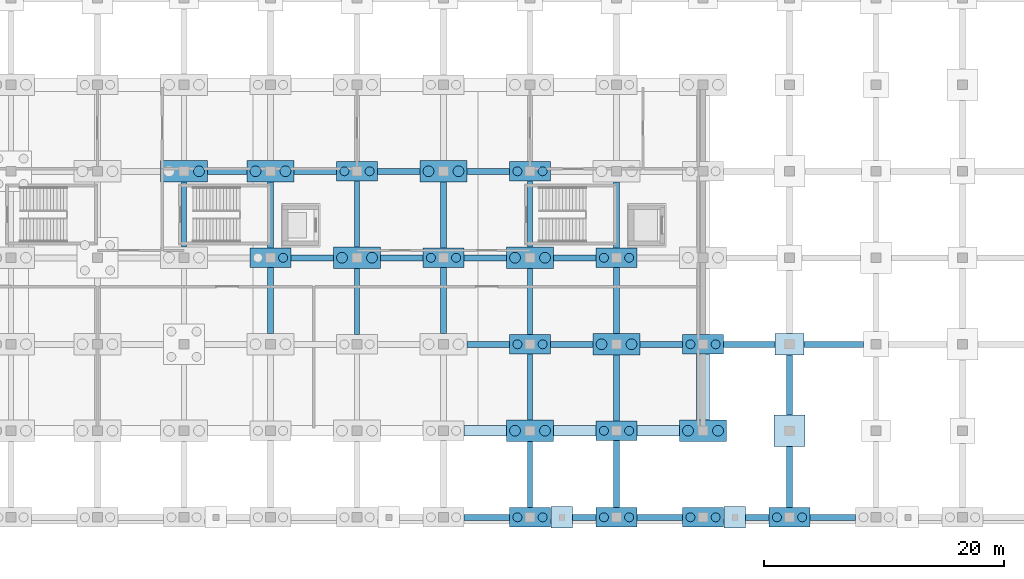
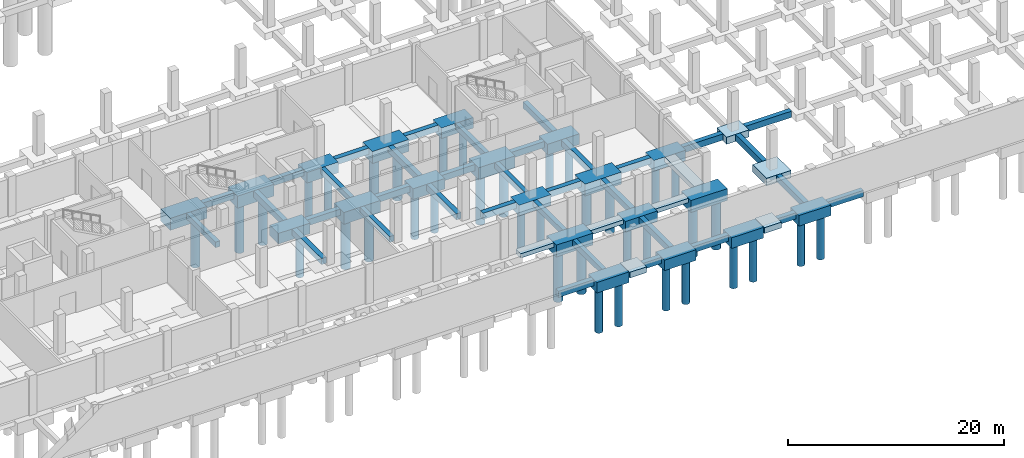
# One storey, part 5 of 22: 63 footings, 38 piles.
"""IFC4 building model written with IfcOpenShell, lengths in metres."""

from ifc_helpers import new_model, si_unit, direction, frame, origin, origin_2d, place, context, subcontext, project, spatial, polyline, rectangle, circle, outline, extrude, material, material_profile, profile_set, type_object, element, save


model = new_model("IFC4")

# Units and contexts
model_context = context("Model", 3, precision=1e-05, world=origin(), true_north=direction((0.0, 1.0)))
body_context = subcontext(model_context, "Body", "Model", "MODEL_VIEW")
ifc_project = project(units=[si_unit("LENGTHUNIT", "METRE"), si_unit("AREAUNIT", "SQUARE_METRE"), si_unit("VOLUMEUNIT", "CUBIC_METRE"), si_unit("PLANEANGLEUNIT", "RADIAN"), si_unit("MASSUNIT", "GRAM", prefix="KILO")], contexts=[model_context])

# Site, building, storey
site_placement = place(None, origin())
site = spatial("IfcSite", under=ifc_project, at=site_placement, CompositionType="ELEMENT")
building_placement = place(site_placement, origin())
building = spatial("IfcBuilding", under=site, at=building_placement, Name="Sardonyx Promenade Sports Hall", CompositionType="ELEMENT")
storey_placement = place(building_placement, frame((0.0, 0.0, -4.5)))
storey = spatial("IfcBuildingStorey", under=building, at=storey_placement, Name="B1", CompositionType="ELEMENT", Elevation=-4.5)

# Footings
ifc_material_1 = material(Name="Concrete C40/50", Category="concrete")
footing_type_1 = type_object("IfcFootingType", Name="Cap_2P_750", PredefinedType="PILE_CAP", material=ifc_material_1)
for number, where, z_axis, x_axis, name in (
    (1, (79.199951171875, 21.60009765625, -1.2001953125), (0.0, 0.0, 1.0), (1.0, 0.0, 0.0), "Pile cap PC02 at (79.20, 21.60)"),
    (2, (86.39990234375, 28.800048828125, -1.2001953125), (0.0, 0.0, 1.0), (1.0, 0.0, 0.0), "Pile cap PC02 at (86.40, 28.80)"),
    (3, (93.60009765625, 21.60009765625, -1.2001953125), (0.0, 0.0, 1.0), (1.0, 0.0, 0.0), "Pile cap PC02 at (93.60, 21.60)"),
    (4, (100.800048828125, 0.0, -1.2001953125), (0.0, 0.0, 1.0), (1.0, 0.0, 0.0), "Pile cap PC02 at (100.80, 0.00)"),
    (5, (100.800048828125, 14.39990234375, -1.2001953125), (0.0, 0.0, 1.0), (1.0, 0.0, 0.0), "Pile cap PC02 at (100.80, 14.40)"),
    (6, (100.800048828125, 28.800048828125, -1.2001953125), (0.0, 0.0, 1.0), (1.0, 0.0, 0.0), "Pile cap PC02 at (100.80, 28.80)"),
    (7, (108.0, 0.0, -1.2001953125), (0.0, 0.0, 1.0), (1.0, 0.0, 0.0), "Pile cap PC02 at (108.00, 0.00)"),
    (8, (108.0, 7.199951171875, -1.2001953125), (0.0, 0.0, 1.0), (1.0, 0.0, 0.0), "Pile cap PC02 at (108.00, 7.20)"),
    (9, (108.0, 21.60009765625, -1.2001953125), (0.0, 0.0, 1.0), (1.0, 0.0, 0.0), "Pile cap PC02 at (108.00, 21.60)"),
    (10, (115.199951171875, 0.0, -1.2001953125), (0.0, 0.0, 1.0), (1.0, 0.0, 0.0), "Pile cap PC02 at (115.20, 0.00)"),
    (11, (115.199951171875, 14.39990234375, -1.2001953125), (0.0, 0.0, 1.0), (1.0, 0.0, 0.0), "Pile cap PC02 at (115.20, 14.40)"),
    (12, (122.39990234375, 0.0, -1.2001953125), (0.0, 0.0, 1.0), (1.0, 0.0, 0.0), "Pile cap PC02 at (122.40, 0.00)"),
):
    element("IfcFooting", number, at=place(storey_placement, frame(where, z_axis=z_axis, x_axis=x_axis)), inside=storey, type_object=footing_type_1, Name=name, PredefinedType="PILE_CAP", context=body_context, shape_type="SweptSolid", body=[
        extrude(rectangle(XDim=3.39990234375, YDim=1.60009765625, at=origin_2d()), origin(), (0.0, 0.0, 1.0), 1.199951171875),
    ])
ifc_material_2 = material(Name="Concrete C40/50", Category="concrete")
footing_type_2 = type_object("IfcFootingType", Name="Cap_2P_900", PredefinedType="PILE_CAP", material=ifc_material_2)
for number, where, z_axis, x_axis, name in (
    (13, (72.0, 28.800048828125, -1.35009765625), (0.0, 0.0, 1.0), (1.0, 0.0, 0.0), "Pile cap PC09 at (72.00, 28.80)"),
    (14, (79.199951171875, 28.800048828125, -1.35009765625), (0.0, 0.0, 1.0), (1.0, 0.0, 0.0), "Pile cap PC09 at (79.20, 28.80)"),
    (15, (86.39990234375, 21.60009765625, -1.35009765625), (0.0, 0.0, 1.0), (1.0, 0.0, 0.0), "Pile cap PC09 at (86.40, 21.60)"),
    (16, (93.60009765625, 28.800048828125, -1.35009765625), (0.0, 0.0, 1.0), (1.0, 0.0, 0.0), "Pile cap PC09 at (93.60, 28.80)"),
    (17, (100.800048828125, 7.199951171875, -1.35009765625), (0.0, 0.0, 1.0), (1.0, 0.0, 0.0), "Pile cap PC09 at (100.80, 7.20)"),
    (18, (100.800048828125, 21.60009765625, -1.35009765625), (0.0, 0.0, 1.0), (1.0, 0.0, 0.0), "Pile cap PC09 at (100.80, 21.60)"),
    (19, (108.0, 14.39990234375, -1.35009765625), (0.0, 0.0, 1.0), (1.0, 0.0, 0.0), "Pile cap PC09 at (108.00, 14.40)"),
    (20, (115.199951171875, 7.199951171875, -1.35009765625), (0.0, 0.0, 1.0), (1.0, 0.0, 0.0), "Pile cap PC09 at (115.20, 7.20)"),
):
    element("IfcFooting", number, at=place(storey_placement, frame(where, z_axis=z_axis, x_axis=x_axis)), inside=storey, type_object=footing_type_2, Name=name, PredefinedType="PILE_CAP", context=body_context, shape_type="SweptSolid", body=[
        extrude(rectangle(XDim=3.89990234375, YDim=1.800048828125, at=origin_2d()), origin(), (0.0, 0.0, 1.0), 1.35009765625),
    ])
ifc_material_3 = material(Name="Concrete C40/50", Category="concrete")
footing_type_3 = type_object("IfcFootingType", Name="Ftg_Beam_450x650", PredefinedType="FOOTING_BEAM", material=ifc_material_3)
footing_1_placement = place(storey_placement, frame((0.0, 0.0, -0.64990234375)))
element("IfcFooting", 21, at=footing_1_placement, inside=storey, type_object=footing_type_3, Name="Ground tie beam GB03 #317", PredefinedType="FOOTING_BEAM", context=body_context, shape_type="SweptSolid", body=[
    extrude(outline(polyline([(71.77490234375, 22.5), (72.22509765625, 22.5), (72.22509765625, 27.89990234375), (71.77490234375, 27.89990234375), (71.77490234375, 22.5)])), origin(), (0.0, 0.0, 1.0), 0.64990234375),
])
footing_2_placement = place(storey_placement, frame((0.0, 0.0, -0.64990234375)))
element("IfcFooting", 22, at=footing_2_placement, inside=storey, type_object=footing_type_3, Name="Ground tie beam GB03 #334", PredefinedType="FOOTING_BEAM", context=body_context, shape_type="SweptSolid", body=[
    extrude(outline(polyline([(86.175048828125, 15.199951171875), (86.625, 15.199951171875), (86.625, 20.699951171875), (86.175048828125, 20.699951171875), (86.175048828125, 15.199951171875)])), origin(), (0.0, 0.0, 1.0), 0.64990234375),
])
footing_3_placement = place(storey_placement, frame((0.0, 0.0, -0.64990234375)))
element("IfcFooting", 23, at=footing_3_placement, inside=storey, type_object=footing_type_3, Name="Ground tie beam GB03 #335", PredefinedType="FOOTING_BEAM", context=body_context, shape_type="SweptSolid", body=[
    extrude(outline(polyline([(86.175048828125, 22.5), (86.625, 22.5), (86.625, 28.0), (86.175048828125, 28.0), (86.175048828125, 22.5)])), origin(), (0.0, 0.0, 1.0), 0.64990234375),
])
footing_4_placement = place(storey_placement, frame((0.0, 0.0, -0.64990234375)))
element("IfcFooting", 24, at=footing_4_placement, inside=storey, type_object=footing_type_3, Name="Ground tie beam GB03 #351", PredefinedType="FOOTING_BEAM", context=body_context, shape_type="SweptSolid", body=[
    extrude(outline(polyline([(100.574951171875, 0.800048828125), (101.02490234375, 0.800048828125), (101.02490234375, 6.300048828125), (100.574951171875, 6.300048828125), (100.574951171875, 0.800048828125)])), origin(), (0.0, 0.0, 1.0), 0.64990234375),
])
footing_5_placement = place(storey_placement, frame((0.0, 0.0, -0.64990234375)))
element("IfcFooting", 25, at=footing_5_placement, inside=storey, type_object=footing_type_3, Name="Ground tie beam GB03 #352", PredefinedType="FOOTING_BEAM", context=body_context, shape_type="SweptSolid", body=[
    extrude(outline(polyline([(100.574951171875, 8.10009765625), (101.02490234375, 8.10009765625), (101.02490234375, 13.60009765625), (100.574951171875, 13.60009765625), (100.574951171875, 8.10009765625)])), origin(), (0.0, 0.0, 1.0), 0.64990234375),
])
footing_6_placement = place(storey_placement, frame((0.0, 0.0, -0.64990234375)))
element("IfcFooting", 26, at=footing_6_placement, inside=storey, type_object=footing_type_3, Name="Ground tie beam GB03 #353", PredefinedType="FOOTING_BEAM", context=body_context, shape_type="SweptSolid", body=[
    extrude(outline(polyline([(100.574951171875, 15.199951171875), (101.02490234375, 15.199951171875), (101.02490234375, 20.699951171875), (100.574951171875, 20.699951171875), (100.574951171875, 15.199951171875)])), origin(), (0.0, 0.0, 1.0), 0.64990234375),
])
footing_7_placement = place(storey_placement, frame((0.0, 0.0, -0.64990234375)))
element("IfcFooting", 27, at=footing_7_placement, inside=storey, type_object=footing_type_3, Name="Ground tie beam GB03 #354", PredefinedType="FOOTING_BEAM", context=body_context, shape_type="SweptSolid", body=[
    extrude(outline(polyline([(100.574951171875, 22.5), (101.02490234375, 22.5), (101.02490234375, 28.0), (100.574951171875, 28.0), (100.574951171875, 22.5)])), origin(), (0.0, 0.0, 1.0), 0.64990234375),
])
ifc_material_4 = material(Name="Concrete C40/50", Category="concrete")
footing_type_4 = type_object("IfcFootingType", Name="Ftg_Beam_500x700", PredefinedType="FOOTING_BEAM", material=ifc_material_4)
footing_8_placement = place(storey_placement, frame((0.0, 0.0, -0.699951171875)))
element("IfcFooting", 28, at=footing_8_placement, inside=storey, type_object=footing_type_4, Name="Ground tie beam GB01 #14", PredefinedType="FOOTING_BEAM", context=body_context, shape_type="SweptSolid", body=[
    extrude(outline(polyline([(95.300048828125, -0.25), (99.10009765625, -0.25), (99.10009765625, 0.25), (95.300048828125, 0.25), (95.300048828125, -0.25)])), origin(), (0.0, 0.0, 1.0), 0.699951171875),
])
footing_9_placement = place(storey_placement, frame((0.0, 0.0, -0.699951171875)))
element("IfcFooting", 29, at=footing_9_placement, inside=storey, type_object=footing_type_4, Name="Ground tie beam GB01 #15", PredefinedType="FOOTING_BEAM", context=body_context, shape_type="SweptSolid", body=[
    extrude(outline(polyline([(104.35009765625, -0.25), (106.300048828125, -0.25), (106.300048828125, 0.25), (104.35009765625, 0.25), (104.35009765625, -0.25)])), origin(), (0.0, 0.0, 1.0), 0.699951171875),
])
footing_10_placement = place(storey_placement, frame((0.0, 0.0, -0.699951171875)))
element("IfcFooting", 30, at=footing_10_placement, inside=storey, type_object=footing_type_4, Name="Ground tie beam GB01 #16", PredefinedType="FOOTING_BEAM", context=body_context, shape_type="SweptSolid", body=[
    extrude(outline(polyline([(109.699951171875, -0.25), (113.5, -0.25), (113.5, 0.25), (109.699951171875, 0.25), (109.699951171875, -0.25)])), origin(), (0.0, 0.0, 1.0), 0.699951171875),
])
footing_11_placement = place(storey_placement, frame((0.0, 0.0, -0.699951171875)))
element("IfcFooting", 31, at=footing_11_placement, inside=storey, type_object=footing_type_4, Name="Ground tie beam GB01 #17", PredefinedType="FOOTING_BEAM", context=body_context, shape_type="SweptSolid", body=[
    extrude(outline(polyline([(118.75, -0.25), (120.699951171875, -0.25), (120.699951171875, 0.25), (118.75, 0.25), (118.75, -0.25)])), origin(), (0.0, 0.0, 1.0), 0.699951171875),
])
footing_12_placement = place(storey_placement, frame((0.0, 0.0, -0.699951171875)))
element("IfcFooting", 32, at=footing_12_placement, inside=storey, type_object=footing_type_4, Name="Ground tie beam GB01 #18", PredefinedType="FOOTING_BEAM", context=body_context, shape_type="SweptSolid", body=[
    extrude(outline(polyline([(124.10009765625, -0.25), (127.89990234375, -0.25), (127.89990234375, 0.25), (124.10009765625, 0.25), (124.10009765625, -0.25)])), origin(), (0.0, 0.0, 1.0), 0.699951171875),
])
footing_13_placement = place(storey_placement, frame((0.0, 0.0, -0.699951171875)))
element("IfcFooting", 33, at=footing_13_placement, inside=storey, type_object=footing_type_4, Name="Ground tie beam GB01 #37", PredefinedType="FOOTING_BEAM", context=body_context, shape_type="SweptSolid", body=[
    extrude(outline(polyline([(95.550048828125, 14.14990234375), (99.10009765625, 14.14990234375), (99.10009765625, 14.64990234375), (95.550048828125, 14.64990234375), (95.550048828125, 14.14990234375)])), origin(), (0.0, 0.0, 1.0), 0.699951171875),
])
footing_14_placement = place(storey_placement, frame((0.0, 0.0, -0.699951171875)))
element("IfcFooting", 34, at=footing_14_placement, inside=storey, type_object=footing_type_4, Name="Ground tie beam GB01 #38", PredefinedType="FOOTING_BEAM", context=body_context, shape_type="SweptSolid", body=[
    extrude(outline(polyline([(102.5, 14.14990234375), (106.050048828125, 14.14990234375), (106.050048828125, 14.64990234375), (102.5, 14.64990234375), (102.5, 14.14990234375)])), origin(), (0.0, 0.0, 1.0), 0.699951171875),
])
footing_15_placement = place(storey_placement, frame((0.0, 0.0, -0.699951171875)))
element("IfcFooting", 35, at=footing_15_placement, inside=storey, type_object=footing_type_4, Name="Ground tie beam GB01 #39", PredefinedType="FOOTING_BEAM", context=body_context, shape_type="SweptSolid", body=[
    extrude(outline(polyline([(109.949951171875, 14.14990234375), (113.5, 14.14990234375), (113.5, 14.64990234375), (109.949951171875, 14.64990234375), (109.949951171875, 14.14990234375)])), origin(), (0.0, 0.0, 1.0), 0.699951171875),
])
footing_16_placement = place(storey_placement, frame((0.0, 0.0, -0.699951171875)))
element("IfcFooting", 36, at=footing_16_placement, inside=storey, type_object=footing_type_4, Name="Ground tie beam GB01 #40", PredefinedType="FOOTING_BEAM", context=body_context, shape_type="SweptSolid", body=[
    extrude(outline(polyline([(116.89990234375, 14.14990234375), (121.199951171875, 14.14990234375), (121.199951171875, 14.64990234375), (116.89990234375, 14.64990234375), (116.89990234375, 14.14990234375)])), origin(), (0.0, 0.0, 1.0), 0.699951171875),
])
footing_17_placement = place(storey_placement, frame((0.0, 0.0, -0.699951171875)))
element("IfcFooting", 37, at=footing_17_placement, inside=storey, type_object=footing_type_4, Name="Ground tie beam GB01 #41", PredefinedType="FOOTING_BEAM", context=body_context, shape_type="SweptSolid", body=[
    extrude(outline(polyline([(123.60009765625, 14.14990234375), (128.550048828125, 14.14990234375), (128.550048828125, 14.64990234375), (123.60009765625, 14.64990234375), (123.60009765625, 14.14990234375)])), origin(), (0.0, 0.0, 1.0), 0.699951171875),
])
footing_18_placement = place(storey_placement, frame((0.0, 0.0, -0.699951171875)))
element("IfcFooting", 38, at=footing_18_placement, inside=storey, type_object=footing_type_4, Name="Ground tie beam GB01 #58", PredefinedType="FOOTING_BEAM", context=body_context, shape_type="SweptSolid", body=[
    extrude(outline(polyline([(80.89990234375, 21.35009765625), (84.449951171875, 21.35009765625), (84.449951171875, 21.85009765625), (80.89990234375, 21.85009765625), (80.89990234375, 21.35009765625)])), origin(), (0.0, 0.0, 1.0), 0.699951171875),
])
footing_19_placement = place(storey_placement, frame((0.0, 0.0, -0.699951171875)))
element("IfcFooting", 39, at=footing_19_placement, inside=storey, type_object=footing_type_4, Name="Ground tie beam GB01 #59", PredefinedType="FOOTING_BEAM", context=body_context, shape_type="SweptSolid", body=[
    extrude(outline(polyline([(88.35009765625, 21.35009765625), (91.89990234375, 21.35009765625), (91.89990234375, 21.85009765625), (88.35009765625, 21.85009765625), (88.35009765625, 21.35009765625)])), origin(), (0.0, 0.0, 1.0), 0.699951171875),
])
footing_20_placement = place(storey_placement, frame((0.0, 0.0, -0.699951171875)))
element("IfcFooting", 40, at=footing_20_placement, inside=storey, type_object=footing_type_4, Name="Ground tie beam GB01 #60", PredefinedType="FOOTING_BEAM", context=body_context, shape_type="SweptSolid", body=[
    extrude(outline(polyline([(95.300048828125, 21.35009765625), (98.85009765625, 21.35009765625), (98.85009765625, 21.85009765625), (95.300048828125, 21.85009765625), (95.300048828125, 21.35009765625)])), origin(), (0.0, 0.0, 1.0), 0.699951171875),
])
footing_21_placement = place(storey_placement, frame((0.0, 0.0, -0.699951171875)))
element("IfcFooting", 41, at=footing_21_placement, inside=storey, type_object=footing_type_4, Name="Ground tie beam GB01 #61", PredefinedType="FOOTING_BEAM", context=body_context, shape_type="SweptSolid", body=[
    extrude(outline(polyline([(102.75, 21.35009765625), (106.300048828125, 21.35009765625), (106.300048828125, 21.85009765625), (102.75, 21.85009765625), (102.75, 21.35009765625)])), origin(), (0.0, 0.0, 1.0), 0.699951171875),
])
footing_22_placement = place(storey_placement, frame((0.0, 0.0, -0.699951171875)))
element("IfcFooting", 42, at=footing_22_placement, inside=storey, type_object=footing_type_4, Name="Ground tie beam GB01 #80", PredefinedType="FOOTING_BEAM", context=body_context, shape_type="SweptSolid", body=[
    extrude(outline(polyline([(73.949951171875, 28.550048828125), (77.25, 28.550048828125), (77.25, 29.050048828125), (73.949951171875, 29.050048828125), (73.949951171875, 28.550048828125)])), origin(), (0.0, 0.0, 1.0), 0.699951171875),
])
footing_23_placement = place(storey_placement, frame((0.0, 0.0, -0.699951171875)))
element("IfcFooting", 43, at=footing_23_placement, inside=storey, type_object=footing_type_4, Name="Ground tie beam GB01 #81", PredefinedType="FOOTING_BEAM", context=body_context, shape_type="SweptSolid", body=[
    extrude(outline(polyline([(81.14990234375, 28.550048828125), (84.699951171875, 28.550048828125), (84.699951171875, 29.050048828125), (81.14990234375, 29.050048828125), (81.14990234375, 28.550048828125)])), origin(), (0.0, 0.0, 1.0), 0.699951171875),
])
footing_24_placement = place(storey_placement, frame((0.0, 0.0, -0.699951171875)))
element("IfcFooting", 44, at=footing_24_placement, inside=storey, type_object=footing_type_4, Name="Ground tie beam GB01 #82", PredefinedType="FOOTING_BEAM", context=body_context, shape_type="SweptSolid", body=[
    extrude(outline(polyline([(88.10009765625, 28.550048828125), (91.64990234375, 28.550048828125), (91.64990234375, 29.050048828125), (88.10009765625, 29.050048828125), (88.10009765625, 28.550048828125)])), origin(), (0.0, 0.0, 1.0), 0.699951171875),
])
footing_25_placement = place(storey_placement, frame((0.0, 0.0, -0.699951171875)))
element("IfcFooting", 45, at=footing_25_placement, inside=storey, type_object=footing_type_4, Name="Ground tie beam GB01 #83", PredefinedType="FOOTING_BEAM", context=body_context, shape_type="SweptSolid", body=[
    extrude(outline(polyline([(95.550048828125, 28.550048828125), (99.10009765625, 28.550048828125), (99.10009765625, 29.050048828125), (95.550048828125, 29.050048828125), (95.550048828125, 28.550048828125)])), origin(), (0.0, 0.0, 1.0), 0.699951171875),
])
footing_26_placement = place(storey_placement, frame((0.0, 0.0, -0.699951171875)))
element("IfcFooting", 46, at=footing_26_placement, inside=storey, type_object=footing_type_4, Name="Ground tie beam GB01 #323", PredefinedType="FOOTING_BEAM", context=body_context, shape_type="SweptSolid", body=[
    extrude(outline(polyline([(78.949951171875, 15.300048828125), (79.449951171875, 15.300048828125), (79.449951171875, 20.800048828125), (78.949951171875, 20.800048828125), (78.949951171875, 15.300048828125)])), origin(), (0.0, 0.0, 1.0), 0.699951171875),
])
footing_27_placement = place(storey_placement, frame((0.0, 0.0, -0.699951171875)))
element("IfcFooting", 47, at=footing_27_placement, inside=storey, type_object=footing_type_4, Name="Ground tie beam GB01 #324", PredefinedType="FOOTING_BEAM", context=body_context, shape_type="SweptSolid", body=[
    extrude(outline(polyline([(78.949951171875, 22.39990234375), (79.449951171875, 22.39990234375), (79.449951171875, 27.89990234375), (78.949951171875, 27.89990234375), (78.949951171875, 22.39990234375)])), origin(), (0.0, 0.0, 1.0), 0.699951171875),
])
footing_28_placement = place(storey_placement, frame((0.0, 0.0, -0.699951171875)))
element("IfcFooting", 48, at=footing_28_placement, inside=storey, type_object=footing_type_4, Name="Ground tie beam GB01 #342", PredefinedType="FOOTING_BEAM", context=body_context, shape_type="SweptSolid", body=[
    extrude(outline(polyline([(93.35009765625, 15.300048828125), (93.85009765625, 15.300048828125), (93.85009765625, 20.800048828125), (93.35009765625, 20.800048828125), (93.35009765625, 15.300048828125)])), origin(), (0.0, 0.0, 1.0), 0.699951171875),
])
footing_29_placement = place(storey_placement, frame((0.0, 0.0, -0.699951171875)))
element("IfcFooting", 49, at=footing_29_placement, inside=storey, type_object=footing_type_4, Name="Ground tie beam GB01 #343", PredefinedType="FOOTING_BEAM", context=body_context, shape_type="SweptSolid", body=[
    extrude(outline(polyline([(93.35009765625, 22.39990234375), (93.85009765625, 22.39990234375), (93.85009765625, 27.89990234375), (93.35009765625, 27.89990234375), (93.35009765625, 22.39990234375)])), origin(), (0.0, 0.0, 1.0), 0.699951171875),
])
footing_30_placement = place(storey_placement, frame((0.0, 0.0, -0.699951171875)))
element("IfcFooting", 50, at=footing_30_placement, inside=storey, type_object=footing_type_4, Name="Ground tie beam GB01 #362", PredefinedType="FOOTING_BEAM", context=body_context, shape_type="SweptSolid", body=[
    extrude(outline(polyline([(107.75, 0.800048828125), (108.25, 0.800048828125), (108.25, 6.39990234375), (107.75, 6.39990234375), (107.75, 0.800048828125)])), origin(), (0.0, 0.0, 1.0), 0.699951171875),
])
footing_31_placement = place(storey_placement, frame((0.0, 0.0, -0.699951171875)))
element("IfcFooting", 51, at=footing_31_placement, inside=storey, type_object=footing_type_4, Name="Ground tie beam GB01 #363", PredefinedType="FOOTING_BEAM", context=body_context, shape_type="SweptSolid", body=[
    extrude(outline(polyline([(107.75, 8.0), (108.25, 8.0), (108.25, 13.5), (107.75, 13.5), (107.75, 8.0)])), origin(), (0.0, 0.0, 1.0), 0.699951171875),
])
footing_32_placement = place(storey_placement, frame((0.0, 0.0, -0.699951171875)))
element("IfcFooting", 52, at=footing_32_placement, inside=storey, type_object=footing_type_4, Name="Ground tie beam GB01 #364", PredefinedType="FOOTING_BEAM", context=body_context, shape_type="SweptSolid", body=[
    extrude(outline(polyline([(107.75, 15.300048828125), (108.25, 15.300048828125), (108.25, 20.800048828125), (107.75, 20.800048828125), (107.75, 15.300048828125)])), origin(), (0.0, 0.0, 1.0), 0.699951171875),
])
footing_33_placement = place(storey_placement, frame((0.0, 0.0, -0.699951171875)))
element("IfcFooting", 53, at=footing_33_placement, inside=storey, type_object=footing_type_4, Name="Ground tie beam GB01 #365", PredefinedType="FOOTING_BEAM", context=body_context, shape_type="SweptSolid", body=[
    extrude(outline(polyline([(107.75, 22.39990234375), (108.25, 22.39990234375), (108.25, 27.89990234375), (107.75, 27.89990234375), (107.75, 22.39990234375)])), origin(), (0.0, 0.0, 1.0), 0.699951171875),
])
footing_34_placement = place(storey_placement, frame((0.0, 0.0, -0.699951171875)))
element("IfcFooting", 54, at=footing_34_placement, inside=storey, type_object=footing_type_4, Name="Ground tie beam GB01 #378", PredefinedType="FOOTING_BEAM", context=body_context, shape_type="SweptSolid", body=[
    extrude(outline(polyline([(122.14990234375, 0.800048828125), (122.64990234375, 0.800048828125), (122.64990234375, 5.89990234375), (122.14990234375, 5.89990234375), (122.14990234375, 0.800048828125)])), origin(), (0.0, 0.0, 1.0), 0.699951171875),
])
footing_35_placement = place(storey_placement, frame((0.0, 0.0, -0.699951171875)))
element("IfcFooting", 55, at=footing_35_placement, inside=storey, type_object=footing_type_4, Name="Ground tie beam GB01 #379", PredefinedType="FOOTING_BEAM", context=body_context, shape_type="SweptSolid", body=[
    extrude(outline(polyline([(122.14990234375, 8.5), (122.64990234375, 8.5), (122.64990234375, 13.5), (122.14990234375, 13.5), (122.14990234375, 8.5)])), origin(), (0.0, 0.0, 1.0), 0.699951171875),
])
ifc_material_5 = material(Name="Concrete C40/50", Category="concrete")
footing_type_5 = type_object("IfcFootingType", Name="Ftg_Pad_1800", PredefinedType="PAD_FOOTING", material=ifc_material_5)
for number, where, z_axis, x_axis, name in (
    (56, (103.449951171875, 0.0, -0.64990234375), (0.0, 0.0, 1.0), (1.0, 0.0, 0.0), "Pilaster pad footing #5"),
    (57, (117.85009765625, 0.0, -0.64990234375), (0.0, 0.0, 1.0), (1.0, 0.0, 0.0), "Pilaster pad footing #6"),
):
    element("IfcFooting", number, at=place(storey_placement, frame(where, z_axis=z_axis, x_axis=x_axis)), inside=storey, type_object=footing_type_5, Name=name, PredefinedType="PAD_FOOTING", context=body_context, shape_type="SweptSolid", body=[
        extrude(rectangle(XDim=1.800048828125, YDim=1.800048828125, at=origin_2d()), origin(), (0.0, 0.0, 1.0), 0.64990234375),
    ])
ifc_material_6 = material(Name="Concrete C40/50", Category="concrete")
footing_type_6 = type_object("IfcFootingType", Name="Ftg_Pad_2400x1800", PredefinedType="PAD_FOOTING", material=ifc_material_6)
footing_36_placement = place(storey_placement, frame((122.39990234375, 14.39990234375, -0.7998046875), z_axis=(0.0, 0.0, 1.0), x_axis=(1.0, 0.0, 0.0)))
element("IfcFooting", 58, at=footing_36_placement, inside=storey, type_object=footing_type_6, Name="Rock-bearing pad footing PF03 at (122.40, 14.40)", PredefinedType="PAD_FOOTING", context=body_context, shape_type="SweptSolid", body=[
    extrude(rectangle(XDim=2.39990234375, YDim=1.800048828125, at=origin_2d()), origin(), (0.0, 0.0, 1.0), 0.800048828125),
])
ifc_material_7 = material(Name="Concrete C40/50", Category="concrete")
footing_type_7 = type_object("IfcFootingType", Name="Ftg_Pad_2600", PredefinedType="PAD_FOOTING", material=ifc_material_7)
footing_37_placement = place(storey_placement, frame((122.39990234375, 7.199951171875, -0.85009765625), z_axis=(0.0, 0.0, 1.0), x_axis=(1.0, 0.0, 0.0)))
element("IfcFooting", 59, at=footing_37_placement, inside=storey, type_object=footing_type_7, Name="Rock-bearing pad footing PF04 at (122.40, 7.20)", PredefinedType="PAD_FOOTING", context=body_context, shape_type="SweptSolid", body=[
    extrude(rectangle(XDim=2.60009765625, YDim=2.60009765625, at=origin_2d()), origin(), (0.0, 0.0, 1.0), 0.85009765625),
])
ifc_material_8 = material(Name="Concrete C40/50", Category="concrete")
footing_type_8 = type_object("IfcFootingType", Name="Ftg_Strip_1100x550", PredefinedType="STRIP_FOOTING", material=ifc_material_8)
footing_38_placement = place(storey_placement, frame((0.0, 0.0, -0.550048828125)))
element("IfcFooting", 60, at=footing_38_placement, inside=storey, type_object=footing_type_8, Name="Basement wall strip footing SF02 #31", PredefinedType="STRIP_FOOTING", context=body_context, shape_type="SweptSolid", body=[
    extrude(outline(polyline([(114.64990234375, 8.10009765625), (115.75, 8.10009765625), (115.75, 13.60009765625), (114.64990234375, 13.60009765625), (114.64990234375, 8.10009765625)])), origin(), (0.0, 0.0, 1.0), 0.550048828125),
])
ifc_material_9 = material(Name="Concrete C40/50", Category="concrete")
footing_type_9 = type_object("IfcFootingType", Name="Ftg_Strip_900x500", PredefinedType="STRIP_FOOTING", material=ifc_material_9)
footing_39_placement = place(storey_placement, frame((0.0, 0.0, -0.5)))
element("IfcFooting", 61, at=footing_39_placement, inside=storey, type_object=footing_type_9, Name="Basement wall strip footing SF01 #11", PredefinedType="STRIP_FOOTING", context=body_context, shape_type="SweptSolid", body=[
    extrude(outline(polyline([(95.300048828125, 6.75), (98.85009765625, 6.75), (98.85009765625, 7.64990234375), (95.300048828125, 7.64990234375), (95.300048828125, 6.75)])), origin(), (0.0, 0.0, 1.0), 0.5),
])
footing_40_placement = place(storey_placement, frame((0.0, 0.0, -0.5)))
element("IfcFooting", 62, at=footing_40_placement, inside=storey, type_object=footing_type_9, Name="Basement wall strip footing SF01 #12", PredefinedType="STRIP_FOOTING", context=body_context, shape_type="SweptSolid", body=[
    extrude(outline(polyline([(102.75, 6.75), (106.300048828125, 6.75), (106.300048828125, 7.64990234375), (102.75, 7.64990234375), (102.75, 6.75)])), origin(), (0.0, 0.0, 1.0), 0.5),
])
footing_41_placement = place(storey_placement, frame((0.0, 0.0, -0.5)))
element("IfcFooting", 63, at=footing_41_placement, inside=storey, type_object=footing_type_9, Name="Basement wall strip footing SF01 #13", PredefinedType="STRIP_FOOTING", context=body_context, shape_type="SweptSolid", body=[
    extrude(outline(polyline([(109.699951171875, 6.75), (113.25, 6.75), (113.25, 7.64990234375), (109.699951171875, 7.64990234375), (109.699951171875, 6.75)])), origin(), (0.0, 0.0, 1.0), 0.5),
])

# Piles
ifc_material_10 = material(Name="Concrete C40/50", Category="concrete")
ifc_material_profile_1 = material_profile(ifc_material_10, circle(Radius=0.375, at=origin_2d()))
ifc_profile_set_1 = profile_set([ifc_material_profile_1], Name="Concrete C40/50")
pile_type_1 = type_object("IfcPileType", Name="Pile_BP750", PredefinedType="BORED", material=ifc_profile_set_1)
for number, where, z_axis, x_axis, name in (
    (64, (80.25, 21.60009765625, -1.10009765625), (0.0, 0.0, -1.0), (1.0, 0.0, 0.0), "Bored pile BP02 #2 under ftg:cap:79.200_21.600"),
    (65, (85.35009765625, 28.800048828125, -1.10009765625), (0.0, 0.0, -1.0), (1.0, 0.0, 0.0), "Bored pile BP02 #1 under ftg:cap:86.400_28.800"),
    (66, (87.449951171875, 28.800048828125, -1.10009765625), (0.0, 0.0, -1.0), (1.0, 0.0, 0.0), "Bored pile BP02 #2 under ftg:cap:86.400_28.800"),
    (67, (92.550048828125, 21.60009765625, -1.10009765625), (0.0, 0.0, -1.0), (1.0, 0.0, 0.0), "Bored pile BP02 #1 under ftg:cap:93.600_21.600"),
    (68, (94.64990234375, 21.60009765625, -1.10009765625), (0.0, 0.0, -1.0), (1.0, 0.0, 0.0), "Bored pile BP02 #2 under ftg:cap:93.600_21.600"),
    (69, (99.75, 0.0, -1.10009765625), (0.0, 0.0, -1.0), (1.0, 0.0, 0.0), "Bored pile BP02 #1 under ftg:cap:100.800_0.000"),
    (70, (101.85009765625, 0.0, -1.10009765625), (0.0, 0.0, -1.0), (1.0, 0.0, 0.0), "Bored pile BP02 #2 under ftg:cap:100.800_0.000"),
    (71, (99.75, 14.39990234375, -1.10009765625), (0.0, 0.0, -1.0), (1.0, 0.0, 0.0), "Bored pile BP02 #1 under ftg:cap:100.800_14.400"),
    (72, (101.85009765625, 14.39990234375, -1.10009765625), (0.0, 0.0, -1.0), (1.0, 0.0, 0.0), "Bored pile BP02 #2 under ftg:cap:100.800_14.400"),
    (73, (99.75, 28.800048828125, -1.10009765625), (0.0, 0.0, -1.0), (1.0, 0.0, 0.0), "Bored pile BP02 #1 under ftg:cap:100.800_28.800"),
    (74, (101.85009765625, 28.800048828125, -1.10009765625), (0.0, 0.0, -1.0), (1.0, 0.0, 0.0), "Bored pile BP02 #2 under ftg:cap:100.800_28.800"),
    (75, (106.949951171875, 0.0, -1.10009765625), (0.0, 0.0, -1.0), (1.0, 0.0, 0.0), "Bored pile BP02 #1 under ftg:cap:108.000_0.000"),
    (76, (109.050048828125, 0.0, -1.10009765625), (0.0, 0.0, -1.0), (1.0, 0.0, 0.0), "Bored pile BP02 #2 under ftg:cap:108.000_0.000"),
    (77, (106.949951171875, 7.199951171875, -1.10009765625), (0.0, 0.0, -1.0), (1.0, 0.0, 0.0), "Bored pile BP02 #1 under ftg:cap:108.000_7.200"),
    (78, (109.050048828125, 7.199951171875, -1.10009765625), (0.0, 0.0, -1.0), (1.0, 0.0, 0.0), "Bored pile BP02 #2 under ftg:cap:108.000_7.200"),
    (79, (106.949951171875, 21.60009765625, -1.10009765625), (0.0, 0.0, -1.0), (1.0, 0.0, 0.0), "Bored pile BP02 #1 under ftg:cap:108.000_21.600"),
    (80, (109.050048828125, 21.60009765625, -1.10009765625), (0.0, 0.0, -1.0), (1.0, 0.0, 0.0), "Bored pile BP02 #2 under ftg:cap:108.000_21.600"),
    (81, (114.14990234375, 0.0, -1.10009765625), (0.0, 0.0, -1.0), (1.0, 0.0, 0.0), "Bored pile BP02 #1 under ftg:cap:115.200_0.000"),
    (82, (116.25, 0.0, -1.10009765625), (0.0, 0.0, -1.0), (1.0, 0.0, 0.0), "Bored pile BP02 #2 under ftg:cap:115.200_0.000"),
    (83, (114.14990234375, 14.39990234375, -1.10009765625), (0.0, 0.0, -1.0), (1.0, 0.0, 0.0), "Bored pile BP02 #1 under ftg:cap:115.200_14.400"),
    (84, (116.25, 14.39990234375, -1.10009765625), (0.0, 0.0, -1.0), (1.0, 0.0, 0.0), "Bored pile BP02 #2 under ftg:cap:115.200_14.400"),
    (85, (121.35009765625, 0.0, -1.10009765625), (0.0, 0.0, -1.0), (1.0, 0.0, 0.0), "Bored pile BP02 #1 under ftg:cap:122.400_0.000"),
    (86, (123.449951171875, 0.0, -1.10009765625), (0.0, 0.0, -1.0), (1.0, 0.0, 0.0), "Bored pile BP02 #2 under ftg:cap:122.400_0.000"),
):
    element("IfcPile", number, at=place(storey_placement, frame(where, z_axis=z_axis, x_axis=x_axis)), inside=storey, type_object=pile_type_1, Name=name, PredefinedType="BORED", context=body_context, shape_type="SweptSolid", body=[
        extrude(circle(Radius=0.375, at=origin_2d()), origin(), (0.0, 0.0, 1.0), 5.10009765625),
    ])
ifc_material_11 = material(Name="Concrete C40/50", Category="concrete")
ifc_material_profile_2 = material_profile(ifc_material_11, circle(Radius=0.449951171875, at=origin_2d()))
ifc_profile_set_2 = profile_set([ifc_material_profile_2], Name="Concrete C40/50")
pile_type_2 = type_object("IfcPileType", Name="Pile_BP900", PredefinedType="BORED", material=ifc_profile_set_2)
for number, where, z_axis, x_axis, name in (
    (87, (73.25, 28.800048828125, -1.25), (0.0, 0.0, -1.0), (1.0, 0.0, 0.0), "Bored pile BP05 #2 under ftg:cap:72.000_28.800"),
    (88, (77.949951171875, 28.800048828125, -1.25), (0.0, 0.0, -1.0), (1.0, 0.0, 0.0), "Bored pile BP05 #1 under ftg:cap:79.200_28.800"),
    (89, (80.449951171875, 28.800048828125, -1.25), (0.0, 0.0, -1.0), (1.0, 0.0, 0.0), "Bored pile BP05 #2 under ftg:cap:79.200_28.800"),
    (90, (85.14990234375, 21.60009765625, -1.25), (0.0, 0.0, -1.0), (1.0, 0.0, 0.0), "Bored pile BP05 #1 under ftg:cap:86.400_21.600"),
    (91, (87.64990234375, 21.60009765625, -1.25), (0.0, 0.0, -1.0), (1.0, 0.0, 0.0), "Bored pile BP05 #2 under ftg:cap:86.400_21.600"),
    (92, (92.35009765625, 28.800048828125, -1.25), (0.0, 0.0, -1.0), (1.0, 0.0, 0.0), "Bored pile BP05 #1 under ftg:cap:93.600_28.800"),
    (93, (94.85009765625, 28.800048828125, -1.25), (0.0, 0.0, -1.0), (1.0, 0.0, 0.0), "Bored pile BP05 #2 under ftg:cap:93.600_28.800"),
    (94, (99.550048828125, 7.199951171875, -1.25), (0.0, 0.0, -1.0), (1.0, 0.0, 0.0), "Bored pile BP05 #1 under ftg:cap:100.800_7.200"),
    (95, (102.050048828125, 7.199951171875, -1.25), (0.0, 0.0, -1.0), (1.0, 0.0, 0.0), "Bored pile BP05 #2 under ftg:cap:100.800_7.200"),
    (96, (99.550048828125, 21.60009765625, -1.25), (0.0, 0.0, -1.0), (1.0, 0.0, 0.0), "Bored pile BP05 #1 under ftg:cap:100.800_21.600"),
    (97, (102.050048828125, 21.60009765625, -1.25), (0.0, 0.0, -1.0), (1.0, 0.0, 0.0), "Bored pile BP05 #2 under ftg:cap:100.800_21.600"),
    (98, (106.75, 14.39990234375, -1.25), (0.0, 0.0, -1.0), (1.0, 0.0, 0.0), "Bored pile BP05 #1 under ftg:cap:108.000_14.400"),
    (99, (109.25, 14.39990234375, -1.25), (0.0, 0.0, -1.0), (1.0, 0.0, 0.0), "Bored pile BP05 #2 under ftg:cap:108.000_14.400"),
    (100, (113.949951171875, 7.199951171875, -1.25), (0.0, 0.0, -1.0), (1.0, 0.0, 0.0), "Bored pile BP05 #1 under ftg:cap:115.200_7.200"),
    (101, (116.449951171875, 7.199951171875, -1.25), (0.0, 0.0, -1.0), (1.0, 0.0, 0.0), "Bored pile BP05 #2 under ftg:cap:115.200_7.200"),
):
    element("IfcPile", number, at=place(storey_placement, frame(where, z_axis=z_axis, x_axis=x_axis)), inside=storey, type_object=pile_type_2, Name=name, PredefinedType="BORED", context=body_context, shape_type="SweptSolid", body=[
        extrude(circle(Radius=0.449951171875, at=origin_2d()), origin(), (0.0, 0.0, 1.0), 5.699951171875),
    ])

save(model, "model.ifc")
